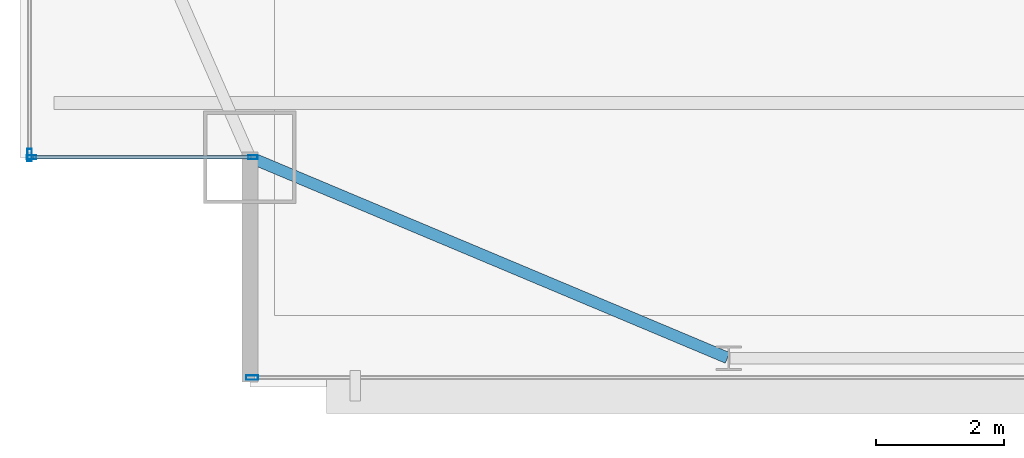
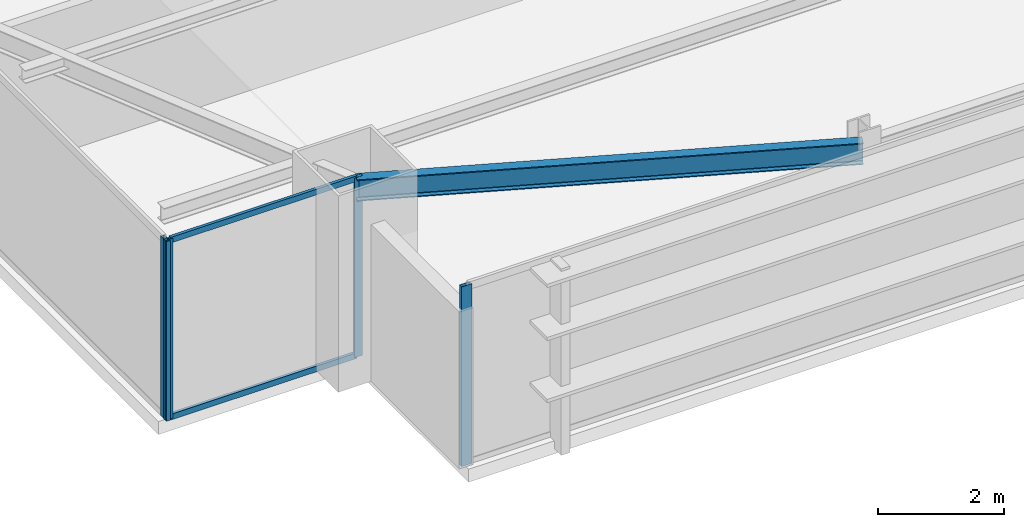
# One storey, part 4 of 33: 6 members, 1 beam, 3 elements without a shape of their own.
"""IFC4 building model written with IfcOpenShell, lengths in metres."""

from ifc_helpers import new_model, si_unit, direction, frame, origin, origin_2d, place, context, subcontext, project, spatial, hollow_rectangle, i_section, extrude, source, transform, mapped, material, layer, layer_set, material_profile, profile_set, type_object, type_shapes, element, aggregate, save


model = new_model("IFC4")

# Units and contexts
model_context = context("Model", 3, precision=1e-05, world=origin(), true_north=direction((0.0, 1.0)))
body_context = subcontext(model_context, "Body", "Model", "MODEL_VIEW")
ifc_project = project(units=[si_unit("LENGTHUNIT", "METRE"), si_unit("AREAUNIT", "SQUARE_METRE"), si_unit("VOLUMEUNIT", "CUBIC_METRE"), si_unit("PLANEANGLEUNIT", "RADIAN"), si_unit("MASSUNIT", "GRAM", prefix="KILO")], contexts=[model_context])

# Site, building, storey
site_placement = place(None, origin())
site = spatial("IfcSite", under=ifc_project, at=site_placement, CompositionType="ELEMENT")
building_placement = place(site_placement, origin())
building = spatial("IfcBuilding", under=site, at=building_placement, Name="Varnel Quay Broadcast Tower", CompositionType="ELEMENT")
storey_placement = place(building_placement, frame((0.0, 0.0, 137.199951171875)))
storey = spatial("IfcBuildingStorey", under=building, at=storey_placement, Name="L33", CompositionType="ELEMENT", Elevation=137.199951171875)

# Beam
ifc_material_1 = material(Name="Structural Steel CSA G40.21 350W", Category="steel")
ifc_material_profile_1 = material_profile(ifc_material_1, i_section(OverallWidth=0.180908203125, OverallDepth=0.4169921875, WebThickness=0.010986328125, FlangeThickness=0.018310546875, FilletRadius=0.011962890625, at=origin_2d()), Name="W410X85")
ifc_profile_set_1 = profile_set([ifc_material_profile_1], Name="Structural Steel CSA G40.21 350W")
beam_type = type_object("IfcBeamType", Name="Beam_W410X85", PredefinedType="SPANDREL", material=ifc_profile_set_1)
shared_shape_1 = source(origin(), body_context, "Body", "SweptSolid", [
    extrude(i_section(OverallWidth=0.180908203125, OverallDepth=0.4169921875, WebThickness=0.010986328125, FlangeThickness=0.018310546875, FilletRadius=0.011962890625, at=origin_2d()), origin(), (0.0, 0.0, 1.0), 8.0947265625),
])
type_shapes(beam_type, [shared_shape_1])
beam_placement = place(storey_placement, frame((8.118408203125, 7.792236328125, 3.271484375), z_axis=(0.921981890247, -0.387232997117, 0.0), x_axis=(0.387232997117, 0.921981890247, 0.0)))
element("IfcBeam", 1, at=beam_placement, inside=storey, type_object=beam_type, Name="L33 South Spandrel MC-SW-TC-S1", PredefinedType="SPANDREL", context=body_context, shape_type="MappedRepresentation", body=[
    mapped(shared_shape_1, transform((0.0, 0.0, 0.0), x_axis=(1.0, 0.0, 0.0), y_axis=(0.0, 1.0, 0.0), z_axis=(0.0, 0.0, 1.0), scale=1.0)),
])

# Curtain wall, members
ifc_material_2 = material(Name="Anodised Bronze Aluminium 6063-T6", Category="aluminium")
ifc_layer_1 = layer(ifc_material_2, 0.18994140625, Name="Anodised Bronze Aluminium 6063-T6")
ifc_layer_set_1 = layer_set([ifc_layer_1], Name="Anodised Bronze Aluminium 6063-T6")
curtain_wall_type_1 = type_object("IfcCurtainWallType", Name="CW_NotchCorner", PredefinedType="NOTDEFINED", material=ifc_layer_set_1)
curtain_wall_1_placement = place(storey_placement, origin())
curtain_wall_1 = element("IfcCurtainWall", 2, at=curtain_wall_1_placement, inside=storey, type_object=curtain_wall_type_1, Name="L33 SW Notch Curtain Wall", PredefinedType="NOTDEFINED")
ifc_material_profile_2 = material_profile(ifc_material_2, hollow_rectangle(XDim=0.054931640625, YDim=0.110107421875, WallThickness=0.0029296875, at=origin_2d()), Name="ALU55X110X3")
ifc_profile_set_2 = profile_set([ifc_material_profile_2], Name="Anodised Bronze Aluminium 6063-T6")
member_type_1 = type_object("IfcMemberType", Name="Tran_CWS-04", PredefinedType="USERDEFINED", material=ifc_profile_set_2)
shared_shape_2 = source(origin(), body_context, "Body", "SweptSolid", [
    extrude(hollow_rectangle(XDim=0.054931640625, YDim=0.110107421875, WallThickness=0.0029296875, at=origin_2d()), origin(), (0.0, 0.0, 1.0), 3.41015625),
])
type_shapes(member_type_1, [shared_shape_2])
member_1_placement = place(storey_placement, frame((4.7099609375, 7.800048828125, 0.027587890625), z_axis=(1.0, 0.0, 0.0), x_axis=(0.0, 1.0, 0.0)))
member_1 = element("IfcMember", 3, at=member_1_placement, type_object=member_type_1, Name="CWS-04 transom 1.1", ObjectType="TRANSOM", PredefinedType="USERDEFINED", context=body_context, shape_type="MappedRepresentation", body=[
    mapped(shared_shape_2, transform((0.0, 0.0, 0.0), x_axis=(1.0, 0.0, 0.0), y_axis=(0.0, 1.0, 0.0), z_axis=(0.0, 0.0, 1.0), scale=1.0)),
])
member_2_placement = place(storey_placement, frame((4.7099609375, 7.800048828125, 3.45263671875), z_axis=(1.0, 0.0, 0.0), x_axis=(0.0, 1.0, 0.0)))
member_2 = element("IfcMember", 4, at=member_2_placement, type_object=member_type_1, Name="CWS-04 transom 1.2", ObjectType="TRANSOM", PredefinedType="USERDEFINED", context=body_context, shape_type="MappedRepresentation", body=[
    mapped(shared_shape_2, transform((0.0, 0.0, 0.0), x_axis=(1.0, 0.0, 0.0), y_axis=(0.0, 1.0, 0.0), z_axis=(0.0, 0.0, 1.0), scale=1.0)),
])

# Curtain wall, member
ifc_layer_2 = layer(ifc_material_2, 0.18994140625, Name="Anodised Bronze Aluminium 6063-T6")
ifc_layer_set_2 = layer_set([ifc_layer_2], Name="Anodised Bronze Aluminium 6063-T6")
curtain_wall_type_2 = type_object("IfcCurtainWallType", Name="CW_LowerTower", PredefinedType="NOTDEFINED", material=ifc_layer_set_2)
curtain_wall_2_placement = place(storey_placement, origin())
curtain_wall_2 = element("IfcCurtainWall", 5, at=curtain_wall_2_placement, inside=storey, type_object=curtain_wall_type_2, Name="L33 South Unitised Curtain Wall 1", PredefinedType="NOTDEFINED")
ifc_material_profile_3 = material_profile(ifc_material_2, hollow_rectangle(XDim=0.070068359375, YDim=0.18994140625, WallThickness=0.00390625, at=origin_2d()), Name="ALU70X190X4")
ifc_profile_set_3 = profile_set([ifc_material_profile_3], Name="Anodised Bronze Aluminium 6063-T6")
member_type_2 = type_object("IfcMemberType", Name="Mull_CWS-02", PredefinedType="MULLION", material=ifc_profile_set_3)
shared_shape_3 = source(origin(), body_context, "Body", "SweptSolid", [
    extrude(hollow_rectangle(XDim=0.070068359375, YDim=0.18994140625, WallThickness=0.00390625, at=origin_2d()), origin(), (0.0, 0.0, 1.0), 3.47998046875),
])
type_shapes(member_type_2, [shared_shape_3])
member_3_placement = place(storey_placement, frame((8.135009765625, 4.35009765625, 0.0), z_axis=(0.0, 0.0, 1.0), x_axis=(0.0, 1.0, 0.0)))
member_3 = element("IfcMember", 6, at=member_3_placement, type_object=member_type_2, Name="CWS-02 mullion 1", PredefinedType="MULLION", context=body_context, shape_type="MappedRepresentation", body=[
    mapped(shared_shape_3, transform((0.0, 0.0, 0.0), x_axis=(1.0, 0.0, 0.0), y_axis=(0.0, 1.0, 0.0), z_axis=(0.0, 0.0, 1.0), scale=1.0)),
])
aggregate(curtain_wall_2, [member_3])

curtain_wall_3_placement = place(storey_placement, origin())
curtain_wall_3 = element("IfcCurtainWall", 7, at=curtain_wall_3_placement, inside=storey, type_object=curtain_wall_type_2, Name="L33 West Unitised Curtain Wall", PredefinedType="NOTDEFINED")
member_4_placement = place(storey_placement, frame((4.64990234375, 7.8349609375, 0.0), z_axis=(0.0, 0.0, 1.0), x_axis=(-1.0, 0.0, 0.0)))
member_4 = element("IfcMember", 8, at=member_4_placement, type_object=member_type_2, Name="CWS-02 mullion 1", PredefinedType="MULLION", context=body_context, shape_type="MappedRepresentation", body=[
    mapped(shared_shape_3, transform((0.0, 0.0, 0.0), x_axis=(1.0, 0.0, 0.0), y_axis=(0.0, 1.0, 0.0), z_axis=(0.0, 0.0, 1.0), scale=1.0)),
])
aggregate(curtain_wall_3, [member_4])

# Member
ifc_material_profile_4 = material_profile(ifc_material_2, hollow_rectangle(XDim=0.06005859375, YDim=0.14501953125, WallThickness=0.00341796875, at=origin_2d()), Name="ALU60X145X3.5")
ifc_profile_set_4 = profile_set([ifc_material_profile_4], Name="Anodised Bronze Aluminium 6063-T6")
member_type_3 = type_object("IfcMemberType", Name="Mull_CWS-04", PredefinedType="MULLION", material=ifc_profile_set_4)
shared_shape_4 = source(origin(), body_context, "Body", "SweptSolid", [
    extrude(hollow_rectangle(XDim=0.06005859375, YDim=0.14501953125, WallThickness=0.00341796875, at=origin_2d()), origin(), (0.0, 0.0, 1.0), 3.47998046875),
])
type_shapes(member_type_3, [shared_shape_4])
member_5_placement = place(storey_placement, frame((4.679931640625, 7.800048828125, 0.0), z_axis=(0.0, 0.0, 1.0), x_axis=(0.0, 1.0, 0.0)))
member_5 = element("IfcMember", 9, at=member_5_placement, type_object=member_type_3, Name="CWS-04 mullion 1", PredefinedType="MULLION", context=body_context, shape_type="MappedRepresentation", body=[
    mapped(shared_shape_4, transform((0.0, 0.0, 0.0), x_axis=(1.0, 0.0, 0.0), y_axis=(0.0, 1.0, 0.0), z_axis=(0.0, 0.0, 1.0), scale=1.0)),
])

member_6_placement = place(storey_placement, frame((8.14990234375, 7.800048828125, 0.0), z_axis=(0.0, 0.0, 1.0), x_axis=(0.0, 1.0, 0.0)))
member_6 = element("IfcMember", 10, at=member_6_placement, type_object=member_type_3, Name="CWS-04 mullion 2", PredefinedType="MULLION", context=body_context, shape_type="MappedRepresentation", body=[
    mapped(shared_shape_4, transform((0.0, 0.0, 0.0), x_axis=(1.0, 0.0, 0.0), y_axis=(0.0, 1.0, 0.0), z_axis=(0.0, 0.0, 1.0), scale=1.0)),
])

aggregate(curtain_wall_1, [member_5, member_6, member_1, member_2])

save(model, "model.ifc")
